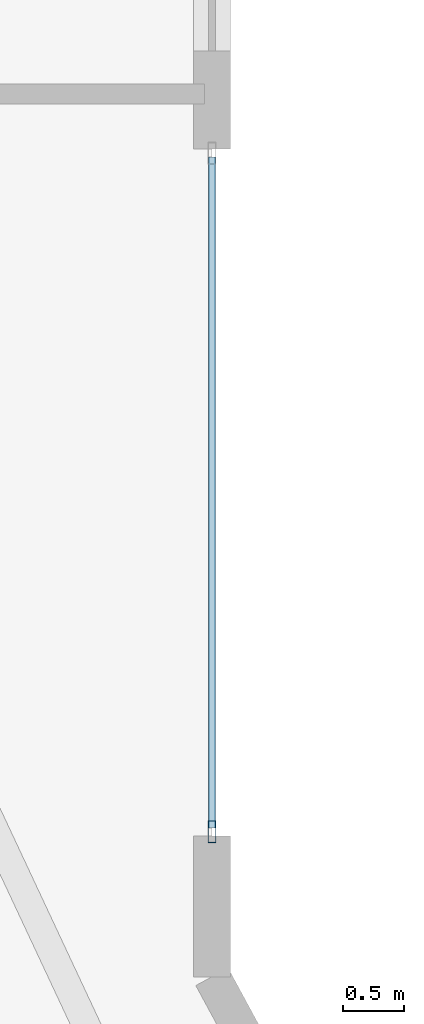
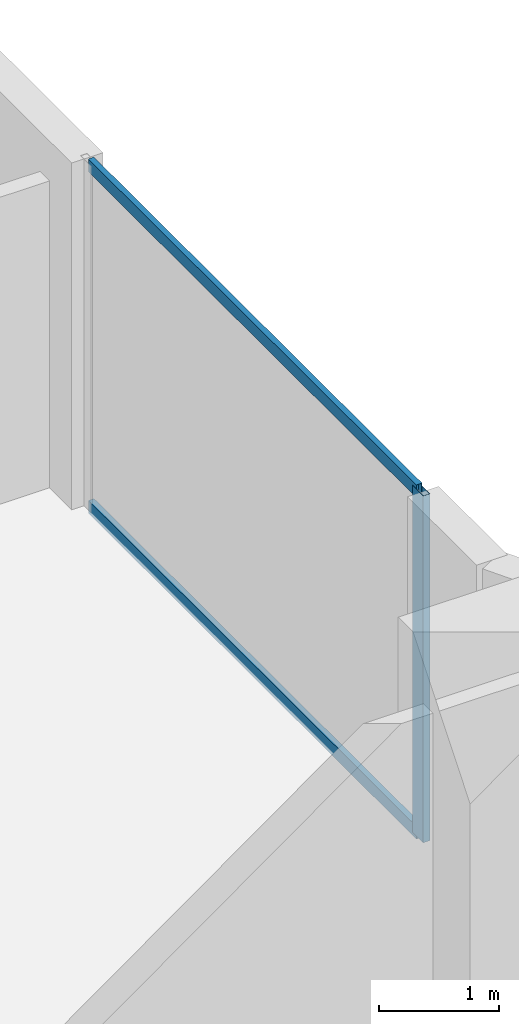
# One storey, part 16 of 33: 3 members, 1 element without a shape of its own.
"""IFC4 building model written with IfcOpenShell, lengths in metres."""

from ifc_helpers import new_model, si_unit, direction, frame, origin, origin_2d, place, context, subcontext, project, spatial, hollow_rectangle, extrude, material, layer, layer_set, material_profile, profile_set, type_object, element, aggregate, save


model = new_model("IFC4")

# Units and contexts
model_context = context("Model", 3, precision=1e-05, world=origin(), true_north=direction((0.0, 1.0)))
body_context = subcontext(model_context, "Body", "Model", "MODEL_VIEW")
ifc_project = project(units=[si_unit("LENGTHUNIT", "METRE"), si_unit("AREAUNIT", "SQUARE_METRE"), si_unit("VOLUMEUNIT", "CUBIC_METRE"), si_unit("PLANEANGLEUNIT", "RADIAN"), si_unit("MASSUNIT", "GRAM", prefix="KILO")], contexts=[model_context])

# Site, building, storey
site_placement = place(None, origin())
site = spatial("IfcSite", under=ifc_project, at=site_placement, CompositionType="ELEMENT")
building_placement = place(site_placement, origin())
building = spatial("IfcBuilding", under=site, at=building_placement, Name="Zuhayl Quay Hotel", CompositionType="ELEMENT")
storey_placement = place(building_placement, frame((0.0, 0.0, 207.39990234375)))
storey = spatial("IfcBuildingStorey", under=building, at=storey_placement, Name="L52", CompositionType="ELEMENT", Elevation=207.39990234375)

# Curtain wall, members
ifc_material_1 = material(Name="Anodised Aluminium 6063-T6", Category="aluminium")
ifc_layer = layer(ifc_material_1, 0.175048828125, Name="Anodised Aluminium 6063-T6", Category="aluminium")
ifc_layer_set = layer_set([ifc_layer], Name="Anodised Aluminium 6063-T6")
curtain_wall_type = type_object("IfcCurtainWallType", Name="CW_SYS_Z3", PredefinedType="USERDEFINED", material=ifc_layer_set)
curtain_wall_placement = place(storey_placement, origin())
curtain_wall = element("IfcCurtainWall", 1, at=curtain_wall_placement, inside=storey, type_object=curtain_wall_type, Name="L52 Curtain Wall ENV_L52_E11_CW1", ObjectType="UNITISED CURTAIN WALL", PredefinedType="USERDEFINED")
ifc_material_2 = material(Name="Black-anodised aluminium 6063-T6", Category="aluminium")
ifc_material_profile_1 = material_profile(ifc_material_2, hollow_rectangle(XDim=0.06494140625, YDim=0.179931640625, WallThickness=0.00341796875, at=origin_2d()), Name="ALU180X65")
ifc_profile_set_1 = profile_set([ifc_material_profile_1], Name="Black-anodised aluminium 6063-T6")
member_type_1 = type_object("IfcMemberType", Name="MB_CW_MUL_180", PredefinedType="MULLION", material=ifc_profile_set_1)
member_1_placement = place(storey_placement, frame((22.10009765625, 18.982421875, 0.0), z_axis=(0.0, 0.0, 1.0), x_axis=(1.0, 0.0, 0.0)))
member_1 = element("IfcMember", 2, at=member_1_placement, type_object=member_type_1, Name="CW-Z3 mullion 2", PredefinedType="MULLION", context=body_context, shape_type="SweptSolid", body=[
    extrude(hollow_rectangle(XDim=0.06494140625, YDim=0.179931640625, WallThickness=0.00341796875, at=origin_2d()), origin(), (0.0, 0.0, 1.0), 3.530029296875),
])
ifc_material_profile_2 = material_profile(ifc_material_2, hollow_rectangle(XDim=0.054931640625, YDim=0.1298828125, WallThickness=0.0029296875, at=origin_2d()), Name="ALU130X55")
ifc_profile_set_2 = profile_set([ifc_material_profile_2], Name="Black-anodised aluminium 6063-T6")
member_type_2 = type_object("IfcMemberType", Name="MB_CW_TRN_130", PredefinedType="USERDEFINED", material=ifc_profile_set_2)
member_2_placement = place(storey_placement, frame((22.10009765625, 24.485107421875, 0.027587890625), z_axis=(0.0, -1.0, 0.0), x_axis=(1.0, 0.0, 0.0)))
member_2 = element("IfcMember", 3, at=member_2_placement, type_object=member_type_2, Name="CW-Z3 transom 1.1", ObjectType="TRANSOM", PredefinedType="USERDEFINED", context=body_context, shape_type="SweptSolid", body=[
    extrude(hollow_rectangle(XDim=0.054931640625, YDim=0.1298828125, WallThickness=0.0029296875, at=origin_2d()), origin(), (0.0, 0.0, 1.0), 5.47021484375),
])
member_3_placement = place(storey_placement, frame((22.10009765625, 24.485107421875, 3.502685546875), z_axis=(0.0, -1.0, 0.0), x_axis=(1.0, 0.0, 0.0)))
member_3 = element("IfcMember", 4, at=member_3_placement, type_object=member_type_2, Name="CW-Z3 transom 1.2", ObjectType="TRANSOM", PredefinedType="USERDEFINED", context=body_context, shape_type="SweptSolid", body=[
    extrude(hollow_rectangle(XDim=0.054931640625, YDim=0.1298828125, WallThickness=0.0029296875, at=origin_2d()), origin(), (0.0, 0.0, 1.0), 5.47021484375),
])
aggregate(curtain_wall, [member_1, member_2, member_3])

save(model, "model.ifc")
